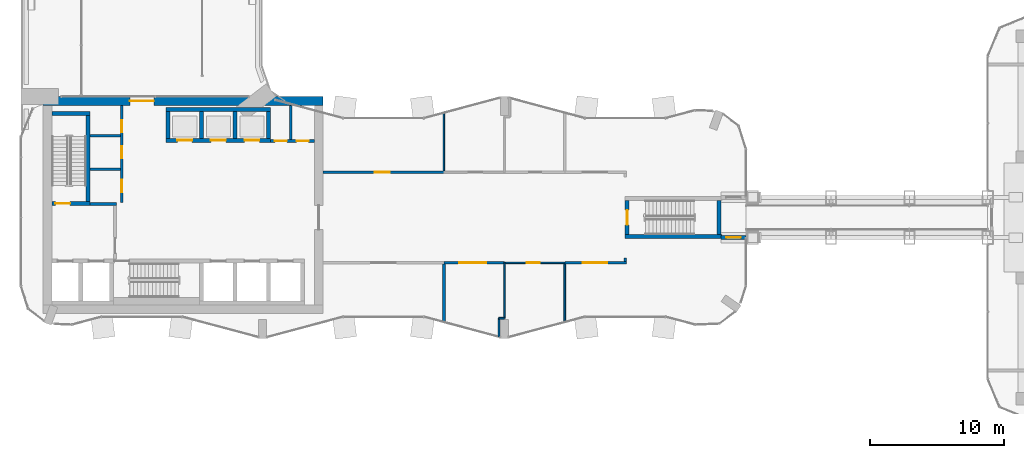
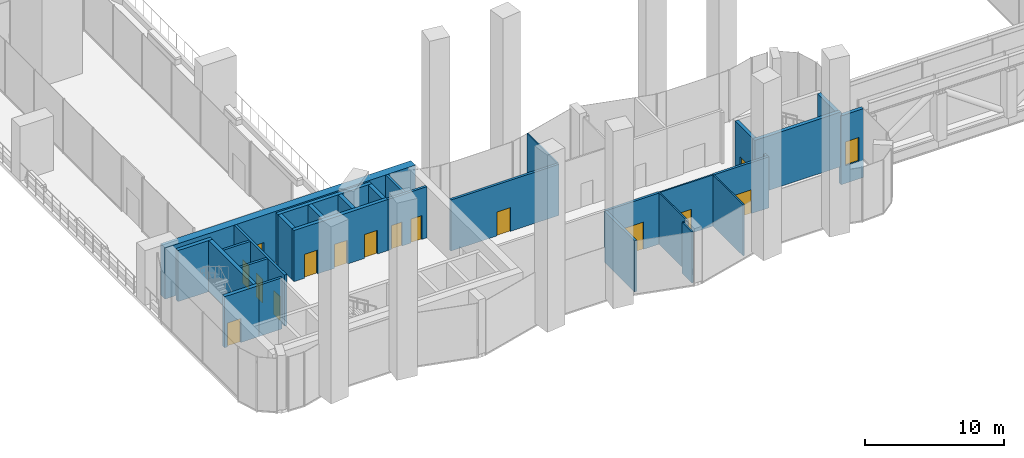
# One storey, part 16 of 23: 31 walls, 16 doors, 16 openings.
"""IFC4 building model written with IfcOpenShell, lengths in metres."""

from ifc_helpers import new_model, si_unit, direction, frame, frame_2d, origin, place, context, subcontext, project, spatial, rectangle, extrude, material, layer, layer_set, type_object, element, fill, save


model = new_model("IFC4")

# Units and contexts
model_context = context("Model", 3, precision=1e-05, world=origin(), true_north=direction((0.0, 1.0)))
body_context = subcontext(model_context, "Body", "Model", "MODEL_VIEW")
ifc_project = project(units=[si_unit("LENGTHUNIT", "METRE"), si_unit("AREAUNIT", "SQUARE_METRE"), si_unit("VOLUMEUNIT", "CUBIC_METRE"), si_unit("PLANEANGLEUNIT", "RADIAN"), si_unit("MASSUNIT", "GRAM", prefix="KILO")], contexts=[model_context])

# Site, building, storey
site_placement = place(None, origin())
site = spatial("IfcSite", under=ifc_project, at=site_placement, CompositionType="ELEMENT")
building_placement = place(site_placement, origin())
building = spatial("IfcBuilding", under=site, at=building_placement, Name="Plateau Cross Towers", CompositionType="ELEMENT")
storey_placement = place(building_placement, frame((0.0, 0.0, 123.800048828125)))
storey = spatial("IfcBuildingStorey", under=building, at=storey_placement, Name="L32", CompositionType="ELEMENT", Elevation=123.800048828125)

# Wall, opening, door
ifc_material_1 = material(Name="Concrete C60/75", Category="concrete")
ifc_layer_1 = layer(ifc_material_1, 0.300048828125)
ifc_layer_set_1 = layer_set([ifc_layer_1], Name="Concrete C60/75")
wall_type_1 = type_object("IfcWallType", Name="Bridge stub wall 300", PredefinedType="SHEAR", material=ifc_layer_set_1)
wall_1_placement = place(storey_placement, frame((52.14990234375, 7.5, -1.550048828125), z_axis=(0.0, 0.0, 1.0), x_axis=(1.0, 0.0, 0.0)))
wall_1 = element("IfcWall", 1, at=wall_1_placement, inside=storey, type_object=wall_type_1, Name="A-end-E-bridge-S@L32", PredefinedType="SHEAR", context=body_context, shape_type="SweptSolid", body=[
    extrude(rectangle(XDim=1.85009765625, YDim=0.300048828125, at=frame_2d((0.925048828125, 0.0))), origin(), (0.0, 0.0, 1.0), 6.050048828125),
])
opening_1_placement = place(wall_1_placement, frame((0.375, 0.0, 1.550048828125)))
opening_1 = element("IfcOpeningElement", 2, at=opening_1_placement, cuts=wall_1, Name="Opening 32-F1", PredefinedType="OPENING", context=body_context, shape_type="SweptSolid", body=[
    extrude(rectangle(XDim=1.10009765625, YDim=2.10009765625, at=frame_2d((0.550048828125, 1.050048828125))), frame((0.0, 0.159912109375, 0.0), z_axis=(0.0, -1.0, 0.0), x_axis=(1.0, 0.0, 0.0)), (0.0, 0.0, 1.0), 0.320068359375),
])
ifc_material_2 = material(Name="Steel, fire-resisting leaf", Category="steel")
door_type_1 = type_object("IfcDoorType", Name="Link lounge fire door 1100", OperationType="NOTDEFINED", PredefinedType="DOOR", material=ifc_material_2)
door_1_placement = place(opening_1_placement, origin())
door_1 = element("IfcDoor", 3, at=door_1_placement, inside=storey, type_object=door_type_1, Name="Door 32-F1", OperationType="SINGLE_SWING_LEFT", OverallHeight=2.10009765625, OverallWidth=1.10009765625, PredefinedType="DOOR", context=body_context, shape_type="SweptSolid", body=[
    extrude(rectangle(XDim=1.10009765625, YDim=2.10009765625, at=frame_2d((0.550048828125, 1.050048828125))), frame((0.0, 0.02490234375, 0.0), z_axis=(0.0, -1.0, 0.0), x_axis=(1.0, 0.0, 0.0)), (0.0, 0.0, 1.0), 0.050048828125),
])
fill(opening_1, door_1)

# Wall
ifc_material_3 = material(Name="Concrete block, plastered both sides", Category="concrete")
ifc_layer_2 = layer(ifc_material_3, 0.199951171875)
ifc_layer_set_2 = layer_set([ifc_layer_2], Name="Concrete block, plastered both sides")
wall_type_2 = type_object("IfcWallType", Name="Core partition 200", PredefinedType="PARTITIONING", material=ifc_layer_set_2)
wall_2_placement = place(storey_placement, frame((5.14990234375, 10.0, 0.0), z_axis=(0.0, 0.0, 1.0), x_axis=(1.0, 0.0, 0.0)))
element("IfcWall", 4, at=wall_2_placement, inside=storey, type_object=wall_type_2, Name="Core partition", PredefinedType="PARTITIONING", context=body_context, shape_type="SweptSolid", body=[
    extrude(rectangle(XDim=1.9501953125, YDim=0.199951171875, at=frame_2d((0.97509765625, 0.0))), origin(), (0.0, 0.0, 1.0), 4.5),
])

# Wall, openings, doors
wall_3_placement = place(storey_placement, frame((7.5, 10.10009765625, 0.0), z_axis=(0.0, 0.0, 1.0), x_axis=(0.0, 1.0, 0.0)))
wall_3 = element("IfcWall", 5, at=wall_3_placement, inside=storey, type_object=wall_type_2, Name="Core partition", PredefinedType="PARTITIONING", context=body_context, shape_type="SweptSolid", body=[
    extrude(rectangle(XDim=7.25, YDim=0.199951171875, at=frame_2d((3.625, 0.0))), origin(), (0.0, 0.0, 1.0), 4.5),
])
opening_2_placement = place(wall_3_placement, frame((0.800048828125, 0.0, 0.0)))
opening_2 = element("IfcOpeningElement", 6, at=opening_2_placement, cuts=wall_3, Name="Opening RD1", PredefinedType="OPENING", context=body_context, shape_type="SweptSolid", body=[
    extrude(rectangle(XDim=0.89990234375, YDim=2.10009765625, at=frame_2d((0.449951171875, 1.050048828125))), frame((0.0, 0.10986328125, 0.0), z_axis=(0.0, -1.0, 0.0), x_axis=(1.0, 0.0, 0.0)), (0.0, 0.0, 1.0), 0.219970703125),
])
opening_3_placement = place(wall_3_placement, frame((3.300048828125, 0.0, 0.0)))
opening_3 = element("IfcOpeningElement", 7, at=opening_3_placement, cuts=wall_3, Name="Opening RD1", PredefinedType="OPENING", context=body_context, shape_type="SweptSolid", body=[
    extrude(rectangle(XDim=0.89990234375, YDim=2.10009765625, at=frame_2d((0.449951171875, 1.050048828125))), frame((0.0, 0.10986328125, 0.0), z_axis=(0.0, -1.0, 0.0), x_axis=(1.0, 0.0, 0.0)), (0.0, 0.0, 1.0), 0.219970703125),
])
opening_4_placement = place(wall_3_placement, frame((5.25, 0.0, 0.0)))
opening_4 = element("IfcOpeningElement", 8, at=opening_4_placement, cuts=wall_3, Name="Opening RD1", PredefinedType="OPENING", context=body_context, shape_type="SweptSolid", body=[
    extrude(rectangle(XDim=0.89990234375, YDim=2.10009765625, at=frame_2d((0.449951171875, 1.050048828125))), frame((0.0, 0.10986328125, 0.0), z_axis=(0.0, -1.0, 0.0), x_axis=(1.0, 0.0, 0.0)), (0.0, 0.0, 1.0), 0.219970703125),
])
ifc_material_4 = material(Name="Timber, fire-resisting leaf", Category="wood")
door_type_2 = type_object("IfcDoorType", Name="Core service door 900", OperationType="NOTDEFINED", PredefinedType="DOOR", material=ifc_material_4)
door_2_placement = place(opening_2_placement, origin())
door_2 = element("IfcDoor", 9, at=door_2_placement, inside=storey, type_object=door_type_2, Name="Core service door RD1", OperationType="SINGLE_SWING_RIGHT", OverallHeight=2.10009765625, OverallWidth=0.89990234375, PredefinedType="DOOR", context=body_context, shape_type="SweptSolid", body=[
    extrude(rectangle(XDim=0.89990234375, YDim=2.10009765625, at=frame_2d((0.449951171875, 1.050048828125))), frame((0.0, 0.02490234375, 0.0), z_axis=(0.0, -1.0, 0.0), x_axis=(1.0, 0.0, 0.0)), (0.0, 0.0, 1.0), 0.050048828125),
])
fill(opening_2, door_2)
door_3_placement = place(opening_3_placement, origin())
door_3 = element("IfcDoor", 10, at=door_3_placement, inside=storey, type_object=door_type_2, Name="Core service door RD1", OperationType="SINGLE_SWING_RIGHT", OverallHeight=2.10009765625, OverallWidth=0.89990234375, PredefinedType="DOOR", context=body_context, shape_type="SweptSolid", body=[
    extrude(rectangle(XDim=0.89990234375, YDim=2.10009765625, at=frame_2d((0.449951171875, 1.050048828125))), frame((0.0, 0.02490234375, 0.0), z_axis=(0.0, -1.0, 0.0), x_axis=(1.0, 0.0, 0.0)), (0.0, 0.0, 1.0), 0.050048828125),
])
fill(opening_3, door_3)
door_4_placement = place(opening_4_placement, origin())
door_4 = element("IfcDoor", 11, at=door_4_placement, inside=storey, type_object=door_type_2, Name="Core service door RD1", OperationType="SINGLE_SWING_RIGHT", OverallHeight=2.10009765625, OverallWidth=0.89990234375, PredefinedType="DOOR", context=body_context, shape_type="SweptSolid", body=[
    extrude(rectangle(XDim=0.89990234375, YDim=2.10009765625, at=frame_2d((0.449951171875, 1.050048828125))), frame((0.0, 0.02490234375, 0.0), z_axis=(0.0, -1.0, 0.0), x_axis=(1.0, 0.0, 0.0)), (0.0, 0.0, 1.0), 0.050048828125),
])
fill(opening_4, door_4)

# Walls
for number, where, z_axis, x_axis, name in (
    (12, (5.14990234375, 12.60009765625, 0.0), (0.0, 0.0, 1.0), (1.0, 0.0, 0.0), "Core partition"),
    (13, (5.14990234375, 15.10009765625, 0.0), (0.0, 0.0, 1.0), (1.0, 0.0, 0.0), "Core partition"),
):
    element("IfcWall", number, at=place(storey_placement, frame(where, z_axis=z_axis, x_axis=x_axis)), inside=storey, type_object=wall_type_2, Name=name, PredefinedType="PARTITIONING", context=body_context, shape_type="SweptSolid", body=[
        extrude(rectangle(XDim=2.25, YDim=0.199951171875, at=frame_2d((1.125, 0.0))), origin(), (0.0, 0.0, 1.0), 4.5),
    ])

# Wall, openings, doors
wall_4_placement = place(storey_placement, frame((18.60009765625, 14.699951171875, 0.0), z_axis=(0.0, 0.0, 1.0), x_axis=(1.0, 0.0, 0.0)))
wall_4 = element("IfcWall", 14, at=wall_4_placement, inside=storey, type_object=wall_type_2, Name="Core partition", PredefinedType="PARTITIONING", context=body_context, shape_type="SweptSolid", body=[
    extrude(rectangle(XDim=3.25, YDim=0.199951171875, at=frame_2d((1.625, 0.0))), origin(), (0.0, 0.0, 1.0), 4.5),
])
opening_5_placement = place(wall_4_placement, frame((0.300048828125, 0.0, 0.0)))
opening_5 = element("IfcOpeningElement", 15, at=opening_5_placement, cuts=wall_4, Name="Opening RD2", PredefinedType="OPENING", context=body_context, shape_type="SweptSolid", body=[
    extrude(rectangle(XDim=0.89990234375, YDim=2.10009765625, at=frame_2d((0.449951171875, 1.050048828125))), frame((0.0, 0.10986328125, 0.0), z_axis=(0.0, -1.0, 0.0), x_axis=(1.0, 0.0, 0.0)), (0.0, 0.0, 1.0), 0.219970703125),
])
opening_6_placement = place(wall_4_placement, frame((1.925048828125, 0.0, 0.0)))
opening_6 = element("IfcOpeningElement", 16, at=opening_6_placement, cuts=wall_4, Name="Opening RD2", PredefinedType="OPENING", context=body_context, shape_type="SweptSolid", body=[
    extrude(rectangle(XDim=0.89990234375, YDim=2.10009765625, at=frame_2d((0.449951171875, 1.050048828125))), frame((0.0, 0.10986328125, 0.0), z_axis=(0.0, -1.0, 0.0), x_axis=(1.0, 0.0, 0.0)), (0.0, 0.0, 1.0), 0.219970703125),
])
door_type_3 = type_object("IfcDoorType", Name="Core riser door 900", OperationType="NOTDEFINED", PredefinedType="DOOR", material=ifc_material_2)
door_5_placement = place(opening_5_placement, origin())
door_5 = element("IfcDoor", 17, at=door_5_placement, inside=storey, type_object=door_type_3, Name="Core riser door RD2", OperationType="SINGLE_SWING_LEFT", OverallHeight=2.10009765625, OverallWidth=0.89990234375, PredefinedType="DOOR", context=body_context, shape_type="SweptSolid", body=[
    extrude(rectangle(XDim=0.89990234375, YDim=2.10009765625, at=frame_2d((0.449951171875, 1.050048828125))), frame((0.0, 0.02490234375, 0.0), z_axis=(0.0, -1.0, 0.0), x_axis=(1.0, 0.0, 0.0)), (0.0, 0.0, 1.0), 0.050048828125),
])
fill(opening_5, door_5)
door_6_placement = place(opening_6_placement, origin())
door_6 = element("IfcDoor", 18, at=door_6_placement, inside=storey, type_object=door_type_3, Name="Core riser door RD2", OperationType="SINGLE_SWING_LEFT", OverallHeight=2.10009765625, OverallWidth=0.89990234375, PredefinedType="DOOR", context=body_context, shape_type="SweptSolid", body=[
    extrude(rectangle(XDim=0.89990234375, YDim=2.10009765625, at=frame_2d((0.449951171875, 1.050048828125))), frame((0.0, 0.02490234375, 0.0), z_axis=(0.0, -1.0, 0.0), x_axis=(1.0, 0.0, 0.0)), (0.0, 0.0, 1.0), 0.050048828125),
])
fill(opening_6, door_6)

# Wall
wall_5_placement = place(storey_placement, frame((20.10009765625, 14.800048828125, 0.0), z_axis=(0.0, 0.0, 1.0), x_axis=(0.0, 1.0, 0.0)))
element("IfcWall", 19, at=wall_5_placement, inside=storey, type_object=wall_type_2, Name="Core partition", PredefinedType="PARTITIONING", context=body_context, shape_type="SweptSolid", body=[
    extrude(rectangle(XDim=2.550048828125, YDim=0.199951171875, at=frame_2d((1.27490234375, 0.0))), origin(), (0.0, 0.0, 1.0), 4.5),
])

# Wall, opening, door
ifc_layer_3 = layer(ifc_material_1, 0.300048828125)
ifc_layer_set_3 = layer_set([ifc_layer_3], Name="Concrete C60/75")
wall_type_3 = type_object("IfcWallType", Name="Core shaft wall 300", PredefinedType="SHEAR", material=ifc_layer_set_3)
wall_6_placement = place(storey_placement, frame((2.300048828125, 10.050048828125, 0.0), z_axis=(0.0, 0.0, 1.0), x_axis=(1.0, 0.0, 0.0)))
wall_6 = element("IfcWall", 20, at=wall_6_placement, inside=storey, type_object=wall_type_3, Name="A-st1-S@L32", PredefinedType="SHEAR", context=body_context, shape_type="SweptSolid", body=[
    extrude(rectangle(XDim=2.849853515625, YDim=0.300048828125, at=frame_2d((1.4248046875, 0.0))), origin(), (0.0, 0.0, 1.0), 4.5),
])
opening_7_placement = place(wall_6_placement, frame((0.25, 0.0, 0.0)))
opening_7 = element("IfcOpeningElement", 21, at=opening_7_placement, cuts=wall_6, Name="Opening SD", PredefinedType="OPENING", context=body_context, shape_type="SweptSolid", body=[
    extrude(rectangle(XDim=1.10009765625, YDim=2.10009765625, at=frame_2d((0.550048828125, 1.050048828125))), frame((0.0, 0.159912109375, 0.0), z_axis=(0.0, -1.0, 0.0), x_axis=(1.0, 0.0, 0.0)), (0.0, 0.0, 1.0), 0.320068359375),
])
door_type_4 = type_object("IfcDoorType", Name="Stair door 1100", OperationType="NOTDEFINED", PredefinedType="DOOR", material=ifc_material_2)
door_7_placement = place(opening_7_placement, origin())
door_7 = element("IfcDoor", 22, at=door_7_placement, inside=storey, type_object=door_type_4, Name="Stair door SD", OperationType="SINGLE_SWING_RIGHT", OverallHeight=2.10009765625, OverallWidth=1.10009765625, PredefinedType="DOOR", context=body_context, shape_type="SweptSolid", body=[
    extrude(rectangle(XDim=1.10009765625, YDim=2.10009765625, at=frame_2d((0.550048828125, 1.050048828125))), frame((0.0, 0.02490234375, 0.0), z_axis=(0.0, -1.0, 0.0), x_axis=(1.0, 0.0, 0.0)), (0.0, 0.0, 1.0), 0.050048828125),
])
fill(opening_7, door_7)

# Walls
wall_7_placement = place(storey_placement, frame((5.0, 10.199951171875, 0.0), z_axis=(0.0, 0.0, 1.0), x_axis=(0.0, 1.0, 0.0)))
element("IfcWall", 23, at=wall_7_placement, inside=storey, type_object=wall_type_3, Name="A-st1-E@L32", PredefinedType="SHEAR", context=body_context, shape_type="SweptSolid", body=[
    extrude(rectangle(XDim=6.400146484375, YDim=0.300048828125, at=frame_2d((3.2001953125, 0.0))), origin(), (0.0, 0.0, 1.0), 4.5),
])
wall_8_placement = place(storey_placement, frame((2.300048828125, 16.75, 0.0), z_axis=(0.0, 0.0, 1.0), x_axis=(1.0, 0.0, 0.0)))
element("IfcWall", 24, at=wall_8_placement, inside=storey, type_object=wall_type_3, Name="A-st1-N@L32", PredefinedType="SHEAR", context=body_context, shape_type="SweptSolid", body=[
    extrude(rectangle(XDim=2.849853515625, YDim=0.300048828125, at=frame_2d((1.4248046875, 0.0))), origin(), (0.0, 0.0, 1.0), 4.5),
])
wall_9_placement = place(storey_placement, frame((10.800048828125, 17.050048828125, 0.0), z_axis=(0.0, 0.0, 1.0), x_axis=(1.0, 0.0, 0.0)))
element("IfcWall", 25, at=wall_9_placement, inside=storey, type_object=wall_type_3, Name="A-nb-back@L32", PredefinedType="SHEAR", context=body_context, shape_type="SweptSolid", body=[
    extrude(rectangle(XDim=7.800048828125, YDim=0.300048828125, at=frame_2d((3.89990234375, 0.0))), origin(), (0.0, 0.0, 1.0), 4.5),
])

# Wall, openings, doors
wall_10_placement = place(storey_placement, frame((10.800048828125, 14.75, 0.0), z_axis=(0.0, 0.0, 1.0), x_axis=(1.0, 0.0, 0.0)))
wall_10 = element("IfcWall", 26, at=wall_10_placement, inside=storey, type_object=wall_type_3, Name="A-nb-front@L32", PredefinedType="SHEAR", context=body_context, shape_type="SweptSolid", body=[
    extrude(rectangle(XDim=7.800048828125, YDim=0.300048828125, at=frame_2d((3.89990234375, 0.0))), origin(), (0.0, 0.0, 1.0), 4.5),
])
opening_8_placement = place(wall_10_placement, frame((0.85009765625, 0.0, 0.0)))
opening_8 = element("IfcOpeningElement", 27, at=opening_8_placement, cuts=wall_10, Name="Opening LD", PredefinedType="OPENING", context=body_context, shape_type="SweptSolid", body=[
    extrude(rectangle(XDim=1.10009765625, YDim=2.10009765625, at=frame_2d((0.550048828125, 1.050048828125))), frame((0.0, 0.159912109375, 0.0), z_axis=(0.0, -1.0, 0.0), x_axis=(1.0, 0.0, 0.0)), (0.0, 0.0, 1.0), 0.320068359375),
])
opening_9_placement = place(wall_10_placement, frame((3.35009765625, 0.0, 0.0)))
opening_9 = element("IfcOpeningElement", 28, at=opening_9_placement, cuts=wall_10, Name="Opening LD", PredefinedType="OPENING", context=body_context, shape_type="SweptSolid", body=[
    extrude(rectangle(XDim=1.10009765625, YDim=2.10009765625, at=frame_2d((0.550048828125, 1.050048828125))), frame((0.0, 0.159912109375, 0.0), z_axis=(0.0, -1.0, 0.0), x_axis=(1.0, 0.0, 0.0)), (0.0, 0.0, 1.0), 0.320068359375),
])
opening_10_placement = place(wall_10_placement, frame((5.85009765625, 0.0, 0.0)))
opening_10 = element("IfcOpeningElement", 29, at=opening_10_placement, cuts=wall_10, Name="Opening LD", PredefinedType="OPENING", context=body_context, shape_type="SweptSolid", body=[
    extrude(rectangle(XDim=1.10009765625, YDim=2.10009765625, at=frame_2d((0.550048828125, 1.050048828125))), frame((0.0, 0.159912109375, 0.0), z_axis=(0.0, -1.0, 0.0), x_axis=(1.0, 0.0, 0.0)), (0.0, 0.0, 1.0), 0.320068359375),
])
ifc_material_5 = material(Name="Stainless steel, fire-resisting sliding leaves", Category="steel")
door_type_5 = type_object("IfcDoorType", Name="Lift landing door 1100", OperationType="NOTDEFINED", PredefinedType="DOOR", material=ifc_material_5)
door_8_placement = place(opening_8_placement, origin())
door_8 = element("IfcDoor", 30, at=door_8_placement, inside=storey, type_object=door_type_5, Name="Lift landing door LD", OperationType="DOUBLE_DOOR_SLIDING", OverallHeight=2.10009765625, OverallWidth=1.10009765625, PredefinedType="DOOR", context=body_context, shape_type="SweptSolid", body=[
    extrude(rectangle(XDim=1.10009765625, YDim=2.10009765625, at=frame_2d((0.550048828125, 1.050048828125))), frame((0.0, 0.02490234375, 0.0), z_axis=(0.0, -1.0, 0.0), x_axis=(1.0, 0.0, 0.0)), (0.0, 0.0, 1.0), 0.050048828125),
])
fill(opening_8, door_8)
door_9_placement = place(opening_9_placement, origin())
door_9 = element("IfcDoor", 31, at=door_9_placement, inside=storey, type_object=door_type_5, Name="Lift landing door LD", OperationType="DOUBLE_DOOR_SLIDING", OverallHeight=2.10009765625, OverallWidth=1.10009765625, PredefinedType="DOOR", context=body_context, shape_type="SweptSolid", body=[
    extrude(rectangle(XDim=1.10009765625, YDim=2.10009765625, at=frame_2d((0.550048828125, 1.050048828125))), frame((0.0, 0.02490234375, 0.0), z_axis=(0.0, -1.0, 0.0), x_axis=(1.0, 0.0, 0.0)), (0.0, 0.0, 1.0), 0.050048828125),
])
fill(opening_9, door_9)
door_10_placement = place(opening_10_placement, origin())
door_10 = element("IfcDoor", 32, at=door_10_placement, inside=storey, type_object=door_type_5, Name="Lift landing door LD", OperationType="DOUBLE_DOOR_SLIDING", OverallHeight=2.10009765625, OverallWidth=1.10009765625, PredefinedType="DOOR", context=body_context, shape_type="SweptSolid", body=[
    extrude(rectangle(XDim=1.10009765625, YDim=2.10009765625, at=frame_2d((0.550048828125, 1.050048828125))), frame((0.0, 0.02490234375, 0.0), z_axis=(0.0, -1.0, 0.0), x_axis=(1.0, 0.0, 0.0)), (0.0, 0.0, 1.0), 0.050048828125),
])
fill(opening_10, door_10)

# Walls
for number, where, z_axis, x_axis, name in (
    (33, (10.949951171875, 14.89990234375, 0.0), (0.0, 0.0, 1.0), (0.0, 1.0, 0.0), "A-nb-v1@L32"),
    (34, (13.449951171875, 14.89990234375, 0.0), (0.0, 0.0, 1.0), (0.0, 1.0, 0.0), "A-nb-v2@L32"),
    (35, (15.949951171875, 14.89990234375, 0.0), (0.0, 0.0, 1.0), (0.0, 1.0, 0.0), "A-nb-v3@L32"),
    (36, (18.449951171875, 14.89990234375, 0.0), (0.0, 0.0, 1.0), (0.0, 1.0, 0.0), "A-nb-v4@L32"),
):
    element("IfcWall", number, at=place(storey_placement, frame(where, z_axis=z_axis, x_axis=x_axis)), inside=storey, type_object=wall_type_3, Name=name, PredefinedType="SHEAR", context=body_context, shape_type="SweptSolid", body=[
        extrude(rectangle(XDim=2.0, YDim=0.300048828125, at=frame_2d((1.0, 0.0))), origin(), (0.0, 0.0, 1.0), 4.5),
    ])

# Wall, opening, door
ifc_layer_4 = layer(ifc_material_1, 0.64990234375)
ifc_layer_set_4 = layer_set([ifc_layer_4], Name="Concrete C60/75")
wall_type_4 = type_object("IfcWallType", Name="Core shell wall 650", PredefinedType="SHEAR", material=ifc_layer_set_4)
wall_11_placement = place(storey_placement, frame((1.64990234375, 17.675048828125, 0.0), z_axis=(0.0, 0.0, 1.0), x_axis=(1.0, 0.0, 0.0)))
wall_11 = element("IfcWall", 37, at=wall_11_placement, inside=storey, type_object=wall_type_4, Name="A-core-N@L32", PredefinedType="SHEAR", context=body_context, shape_type="SweptSolid", body=[
    extrude(rectangle(XDim=20.85009765625, YDim=0.64990234375, at=frame_2d((10.425048828125, 0.0))), origin(), (0.0, 0.0, 1.0), 4.5),
])
opening_11_placement = place(wall_11_placement, frame((6.449951171875, 0.0, 0.0)))
opening_11 = element("IfcOpeningElement", 38, at=opening_11_placement, cuts=wall_11, Name="Opening CD", PredefinedType="OPENING", context=body_context, shape_type="SweptSolid", body=[
    extrude(rectangle(XDim=1.800048828125, YDim=2.10009765625, at=frame_2d((0.89990234375, 1.050048828125))), frame((0.0, 0.3349609375, 0.0), z_axis=(0.0, -1.0, 0.0), x_axis=(1.0, 0.0, 0.0)), (0.0, 0.0, 1.0), 0.669921875),
])
ifc_material_6 = material(Name="Steel, fire-resisting leaves", Category="steel")
door_type_6 = type_object("IfcDoorType", Name="Corridor door pair 1800", OperationType="NOTDEFINED", PredefinedType="DOOR", material=ifc_material_6)
door_11_placement = place(opening_11_placement, origin())
door_11 = element("IfcDoor", 39, at=door_11_placement, inside=storey, type_object=door_type_6, Name="Corridor door pair CD", OperationType="DOUBLE_DOOR_SINGLE_SWING", OverallHeight=2.10009765625, OverallWidth=1.800048828125, PredefinedType="DOOR", context=body_context, shape_type="SweptSolid", body=[
    extrude(rectangle(XDim=1.800048828125, YDim=2.10009765625, at=frame_2d((0.89990234375, 1.050048828125))), frame((0.0, 0.02490234375, 0.0), z_axis=(0.0, -1.0, 0.0), x_axis=(1.0, 0.0, 0.0)), (0.0, 0.0, 1.0), 0.050048828125),
])
fill(opening_11, door_11)

ifc_material_7 = material(Name="Gypsum board on steel studs, two layers each side", Category="steel")
ifc_layer_5 = layer(ifc_material_7, 0.199951171875)
ifc_layer_set_5 = layer_set([ifc_layer_5], Name="Gypsum board on steel studs, two layers each side")
wall_type_5 = type_object("IfcWallType", Name="Podium compartment wall 200", PredefinedType="PARTITIONING", material=ifc_layer_set_5)
wall_12_placement = place(storey_placement, frame((22.5, 12.375, 0.0), z_axis=(0.0, 0.0, 1.0), x_axis=(1.0, 0.0, 0.0)))
wall_12 = element("IfcWall", 40, at=wall_12_placement, inside=storey, type_object=wall_type_5, Name="Partition wall", PredefinedType="PARTITIONING", context=body_context, shape_type="SweptSolid", body=[
    extrude(rectangle(XDim=9.0, YDim=0.199951171875, at=frame_2d((4.5, 0.0))), origin(), (0.0, 0.0, 1.0), 4.5),
])
opening_12_placement = place(wall_12_placement, frame((3.85009765625, 0.0, 0.0)))
opening_12 = element("IfcOpeningElement", 41, at=opening_12_placement, cuts=wall_12, Name="Opening 32-03", PredefinedType="OPENING", context=body_context, shape_type="SweptSolid", body=[
    extrude(rectangle(XDim=1.10009765625, YDim=2.10009765625, at=frame_2d((0.550048828125, 1.050048828125))), frame((0.0, 0.10986328125, 0.0), z_axis=(0.0, -1.0, 0.0), x_axis=(1.0, 0.0, 0.0)), (0.0, 0.0, 1.0), 0.219970703125),
])
door_type_7 = type_object("IfcDoorType", Name="Podium fire door 1100", OperationType="NOTDEFINED", PredefinedType="DOOR", material=ifc_material_4)
door_12_placement = place(opening_12_placement, origin())
door_12 = element("IfcDoor", 42, at=door_12_placement, inside=storey, type_object=door_type_7, Name="Door 32-03", OperationType="SINGLE_SWING_LEFT", OverallHeight=2.10009765625, OverallWidth=1.10009765625, PredefinedType="DOOR", context=body_context, shape_type="SweptSolid", body=[
    extrude(rectangle(XDim=1.10009765625, YDim=2.10009765625, at=frame_2d((0.550048828125, 1.050048828125))), frame((0.0, 0.02490234375, 0.0), z_axis=(0.0, -1.0, 0.0), x_axis=(1.0, 0.0, 0.0)), (0.0, 0.0, 1.0), 0.050048828125),
])
fill(opening_12, door_12)

ifc_material_8 = material(Name="Gypsum board on steel studs", Category="steel")
ifc_layer_6 = layer(ifc_material_8, 0.199951171875)
ifc_layer_set_6 = layer_set([ifc_layer_6], Name="Gypsum board on steel studs")
wall_type_6 = type_object("IfcWallType", Name="Podium partition 200", PredefinedType="PARTITIONING", material=ifc_layer_set_6)
wall_13_placement = place(storey_placement, frame((36.0, 5.625, 0.0), z_axis=(0.0, 0.0, 1.0), x_axis=(-1.0, 0.0, 0.0)))
wall_13 = element("IfcWall", 43, at=wall_13_placement, inside=storey, type_object=wall_type_6, Name="Partition wall", PredefinedType="PARTITIONING", context=body_context, shape_type="SweptSolid", body=[
    extrude(rectangle(XDim=4.5, YDim=0.199951171875, at=frame_2d((2.25, 0.0))), origin(), (0.0, 0.0, 1.0), 4.5),
])
opening_13_placement = place(wall_13_placement, frame((1.35009765625, 0.0, 0.0)))
opening_13 = element("IfcOpeningElement", 44, at=opening_13_placement, cuts=wall_13, Name="Opening 32-01", PredefinedType="OPENING", context=body_context, shape_type="SweptSolid", body=[
    extrude(rectangle(XDim=2.0, YDim=2.39990234375, at=frame_2d((1.0, 1.199951171875))), frame((0.0, 0.10986328125, 0.0), z_axis=(0.0, -1.0, 0.0), x_axis=(1.0, 0.0, 0.0)), (0.0, 0.0, 1.0), 0.219970703125),
])
ifc_material_9 = material(Name="Aluminium frame, toughened glass", Category="aluminium")
door_type_8 = type_object("IfcDoorType", Name="Shop entrance double door 2000x2400", OperationType="NOTDEFINED", PredefinedType="DOOR", material=ifc_material_9)
door_13_placement = place(opening_13_placement, origin())
door_13 = element("IfcDoor", 45, at=door_13_placement, inside=storey, type_object=door_type_8, Name="Door 32-01", OperationType="SINGLE_SWING_LEFT", OverallHeight=2.39990234375, OverallWidth=2.0, PredefinedType="DOOR", context=body_context, shape_type="SweptSolid", body=[
    extrude(rectangle(XDim=2.0, YDim=2.39990234375, at=frame_2d((1.0, 1.199951171875))), frame((0.0, 0.02490234375, 0.0), z_axis=(0.0, -1.0, 0.0), x_axis=(1.0, 0.0, 0.0)), (0.0, 0.0, 1.0), 0.050048828125),
])
fill(opening_13, door_13)

wall_14_placement = place(storey_placement, frame((45.10009765625, 5.625, 0.0), z_axis=(0.0, 0.0, 1.0), x_axis=(-1.0, 0.0, 0.0)))
wall_14 = element("IfcWall", 46, at=wall_14_placement, inside=storey, type_object=wall_type_6, Name="Partition wall", PredefinedType="PARTITIONING", context=body_context, shape_type="SweptSolid", body=[
    extrude(rectangle(XDim=4.60009765625, YDim=0.199951171875, at=frame_2d((2.300048828125, 0.0))), origin(), (0.0, 0.0, 1.0), 4.5),
])
opening_14_placement = place(wall_14_placement, frame((1.449951171875, 0.0, 0.0)))
opening_14 = element("IfcOpeningElement", 47, at=opening_14_placement, cuts=wall_14, Name="Opening 32-08", PredefinedType="OPENING", context=body_context, shape_type="SweptSolid", body=[
    extrude(rectangle(XDim=1.800048828125, YDim=2.10009765625, at=frame_2d((0.89990234375, 1.050048828125))), frame((0.0, 0.10986328125, 0.0), z_axis=(0.0, -1.0, 0.0), x_axis=(1.0, 0.0, 0.0)), (0.0, 0.0, 1.0), 0.219970703125),
])
door_type_9 = type_object("IfcDoorType", Name="Podium door pair 1800", OperationType="NOTDEFINED", PredefinedType="DOOR", material=ifc_material_9)
door_14_placement = place(opening_14_placement, origin())
door_14 = element("IfcDoor", 48, at=door_14_placement, inside=storey, type_object=door_type_9, Name="Door 32-08", OperationType="DOUBLE_DOOR_SINGLE_SWING", OverallHeight=2.10009765625, OverallWidth=1.800048828125, PredefinedType="DOOR", context=body_context, shape_type="SweptSolid", body=[
    extrude(rectangle(XDim=1.800048828125, YDim=2.10009765625, at=frame_2d((0.89990234375, 1.050048828125))), frame((0.0, 0.02490234375, 0.0), z_axis=(0.0, -1.0, 0.0), x_axis=(1.0, 0.0, 0.0)), (0.0, 0.0, 1.0), 0.050048828125),
])
fill(opening_14, door_14)

# Walls
wall_15_placement = place(storey_placement, frame((31.5, 5.52490234375, 0.0), z_axis=(0.0, 0.0, 1.0), x_axis=(0.0, -1.0, 0.0)))
element("IfcWall", 49, at=wall_15_placement, inside=storey, type_object=wall_type_6, Name="Partition wall", PredefinedType="PARTITIONING", context=body_context, shape_type="SweptSolid", body=[
    extrude(rectangle(XDim=4.31982421875, YDim=0.199951171875, at=frame_2d((2.159912109375, 0.0))), origin(), (0.0, 0.0, 1.0), 4.5),
])
wall_16_placement = place(storey_placement, frame((45.0, 6.0, 0.0), z_axis=(0.0, 0.0, 1.0), x_axis=(0.0, -1.0, 0.0)))
element("IfcWall", 50, at=wall_16_placement, inside=storey, type_object=wall_type_6, Name="Partition wall", PredefinedType="PARTITIONING", context=body_context, shape_type="SweptSolid", body=[
    extrude(rectangle(XDim=0.27490234375, YDim=0.199951171875, at=frame_2d((0.137451171875, 0.0))), origin(), (0.0, 0.0, 1.0), 4.5),
])
ifc_material_10 = material(Name="Moisture-resistant board on steel studs, tiled one side", Category="steel")
ifc_layer_7 = layer(ifc_material_10, 0.1201171875)
ifc_layer_set_7 = layer_set([ifc_layer_7], Name="Moisture-resistant board on steel studs, tiled one side")
wall_type_7 = type_object("IfcWallType", Name="Sanitary partition 120", PredefinedType="PARTITIONING", material=ifc_layer_set_7)
wall_17_placement = place(storey_placement, frame((36.0, 5.625, 0.0), z_axis=(0.0, 0.0, 1.0), x_axis=(0.0, -1.0, 0.0)))
element("IfcWall", 51, at=wall_17_placement, inside=storey, type_object=wall_type_7, Name="Partition wall", PredefinedType="PARTITIONING", context=body_context, shape_type="SweptSolid", body=[
    extrude(rectangle(XDim=4.125, YDim=0.1201171875, at=frame_2d((2.0625, 0.0))), origin(), (0.0, 0.0, 1.0), 4.5),
])
wall_18_placement = place(storey_placement, frame((36.0, 1.5, 0.0), z_axis=(0.0, 0.0, 1.0), x_axis=(-1.0, 0.0, 0.0)))
element("IfcWall", 52, at=wall_18_placement, inside=storey, type_object=wall_type_7, Name="Partition wall", PredefinedType="PARTITIONING", context=body_context, shape_type="SweptSolid", body=[
    extrude(rectangle(XDim=0.39990234375, YDim=0.1201171875, at=frame_2d((0.199951171875, 0.0))), origin(), (0.0, 0.0, 1.0), 4.5),
])
wall_19_placement = place(storey_placement, frame((35.60009765625, 1.5, 0.0), z_axis=(0.0, 0.0, 1.0), x_axis=(0.0, -1.0, 0.0)))
element("IfcWall", 53, at=wall_19_placement, inside=storey, type_object=wall_type_7, Name="Partition wall", PredefinedType="PARTITIONING", context=body_context, shape_type="SweptSolid", body=[
    extrude(rectangle(XDim=1.39306640625, YDim=0.1201171875, at=frame_2d((0.696533203125, 0.0))), origin(), (0.0, 0.0, 1.0), 4.5),
])

# Wall, opening, door
wall_20_placement = place(storey_placement, frame((40.5, 5.625, 0.0), z_axis=(0.0, 0.0, 1.0), x_axis=(-1.0, 0.0, 0.0)))
wall_20 = element("IfcWall", 54, at=wall_20_placement, inside=storey, type_object=wall_type_7, Name="Partition wall", PredefinedType="PARTITIONING", context=body_context, shape_type="SweptSolid", body=[
    extrude(rectangle(XDim=4.5, YDim=0.1201171875, at=frame_2d((2.25, 0.0))), origin(), (0.0, 0.0, 1.0), 4.5),
])
opening_15_placement = place(wall_20_placement, frame((1.85009765625, 0.0, 0.0)))
opening_15 = element("IfcOpeningElement", 55, at=opening_15_placement, cuts=wall_20, Name="Opening 32-02", PredefinedType="OPENING", context=body_context, shape_type="SweptSolid", body=[
    extrude(rectangle(XDim=1.0, YDim=2.10009765625, at=frame_2d((0.5, 1.050048828125))), frame((0.0, 0.070068359375, 0.0), z_axis=(0.0, -1.0, 0.0), x_axis=(1.0, 0.0, 0.0)), (0.0, 0.0, 1.0), 0.14013671875),
])
ifc_material_11 = material(Name="Timber leaf", Category="wood")
door_type_10 = type_object("IfcDoorType", Name="Podium clinic door 1000", OperationType="NOTDEFINED", PredefinedType="DOOR", material=ifc_material_11)
door_15_placement = place(opening_15_placement, origin())
door_15 = element("IfcDoor", 56, at=door_15_placement, inside=storey, type_object=door_type_10, Name="Door 32-02", OperationType="SINGLE_SWING_LEFT", OverallHeight=2.10009765625, OverallWidth=1.0, PredefinedType="DOOR", context=body_context, shape_type="SweptSolid", body=[
    extrude(rectangle(XDim=1.0, YDim=2.10009765625, at=frame_2d((0.5, 1.050048828125))), frame((0.0, 0.02490234375, 0.0), z_axis=(0.0, -1.0, 0.0), x_axis=(1.0, 0.0, 0.0)), (0.0, 0.0, 1.0), 0.050048828125),
])
fill(opening_15, door_15)

# Walls
for number, where, z_axis, x_axis, name in (
    (57, (40.5, 5.52490234375, 0.0), (0.0, 0.0, 1.0), (0.0, -1.0, 0.0), "Partition wall"),
    (58, (31.5, 16.794921875, 0.0), (0.0, 0.0, 1.0), (0.0, -1.0, 0.0), "Partition wall"),
):
    element("IfcWall", number, at=place(storey_placement, frame(where, z_axis=z_axis, x_axis=x_axis)), inside=storey, type_object=wall_type_7, Name=name, PredefinedType="PARTITIONING", context=body_context, shape_type="SweptSolid", body=[
        extrude(rectangle(XDim=4.31982421875, YDim=0.1201171875, at=frame_2d((2.159912109375, 0.0))), origin(), (0.0, 0.0, 1.0), 4.5),
    ])

# Wall, opening, door
ifc_layer_8 = layer(ifc_material_1, 0.300048828125)
ifc_layer_set_8 = layer_set([ifc_layer_8], Name="Concrete C60/75")
wall_type_8 = type_object("IfcWallType", Name="Stair tower wall 300", PredefinedType="SHEAR", material=ifc_layer_set_8)
wall_21_placement = place(storey_placement, frame((45.14990234375, 7.72509765625, 0.0), z_axis=(0.0, 0.0, 1.0), x_axis=(0.0, 1.0, 0.0)))
wall_21 = element("IfcWall", 59, at=wall_21_placement, inside=storey, type_object=wall_type_8, Name="A-end-E-W@L32", PredefinedType="SHEAR", context=body_context, shape_type="SweptSolid", body=[
    extrude(rectangle(XDim=2.5498046875, YDim=0.300048828125, at=frame_2d((1.27490234375, 0.0))), origin(), (0.0, 0.0, 1.0), 4.800048828125),
])
opening_16_placement = place(wall_21_placement, frame((0.72509765625, 0.0, 0.0)))
opening_16 = element("IfcOpeningElement", 60, at=opening_16_placement, cuts=wall_21, Name="Opening SD", PredefinedType="OPENING", context=body_context, shape_type="SweptSolid", body=[
    extrude(rectangle(XDim=1.10009765625, YDim=2.10009765625, at=frame_2d((0.550048828125, 1.050048828125))), frame((0.0, 0.159912109375, 0.0), z_axis=(0.0, -1.0, 0.0), x_axis=(1.0, 0.0, 0.0)), (0.0, 0.0, 1.0), 0.320068359375),
])
door_16_placement = place(opening_16_placement, origin())
door_16 = element("IfcDoor", 61, at=door_16_placement, inside=storey, type_object=door_type_4, Name="Stair door SD", OperationType="SINGLE_SWING_LEFT", OverallHeight=2.10009765625, OverallWidth=1.10009765625, PredefinedType="DOOR", context=body_context, shape_type="SweptSolid", body=[
    extrude(rectangle(XDim=1.10009765625, YDim=2.10009765625, at=frame_2d((0.550048828125, 1.050048828125))), frame((0.0, 0.02490234375, 0.0), z_axis=(0.0, -1.0, 0.0), x_axis=(1.0, 0.0, 0.0)), (0.0, 0.0, 1.0), 0.050048828125),
])
fill(opening_16, door_16)

# Walls
wall_22_placement = place(storey_placement, frame((52.0, 7.72509765625, 0.0), z_axis=(0.0, 0.0, 1.0), x_axis=(0.0, 1.0, 0.0)))
element("IfcWall", 62, at=wall_22_placement, inside=storey, type_object=wall_type_8, Name="A-end-E-E@L32", PredefinedType="SHEAR", context=body_context, shape_type="SweptSolid", body=[
    extrude(rectangle(XDim=2.5498046875, YDim=0.300048828125, at=frame_2d((1.27490234375, 0.0))), origin(), (0.0, 0.0, 1.0), 4.800048828125),
])
wall_23_placement = place(storey_placement, frame((45.0, 7.574951171875, 0.0), z_axis=(0.0, 0.0, 1.0), x_axis=(1.0, 0.0, 0.0)))
element("IfcWall", 63, at=wall_23_placement, inside=storey, type_object=wall_type_8, Name="A-end-E-S@L32", PredefinedType="SHEAR", context=body_context, shape_type="SweptSolid", body=[
    extrude(rectangle(XDim=7.199951171875, YDim=0.300048828125, at=frame_2d((3.60009765625, 0.0))), origin(), (0.0, 0.0, 1.0), 4.800048828125),
])

save(model, "model.ifc")
